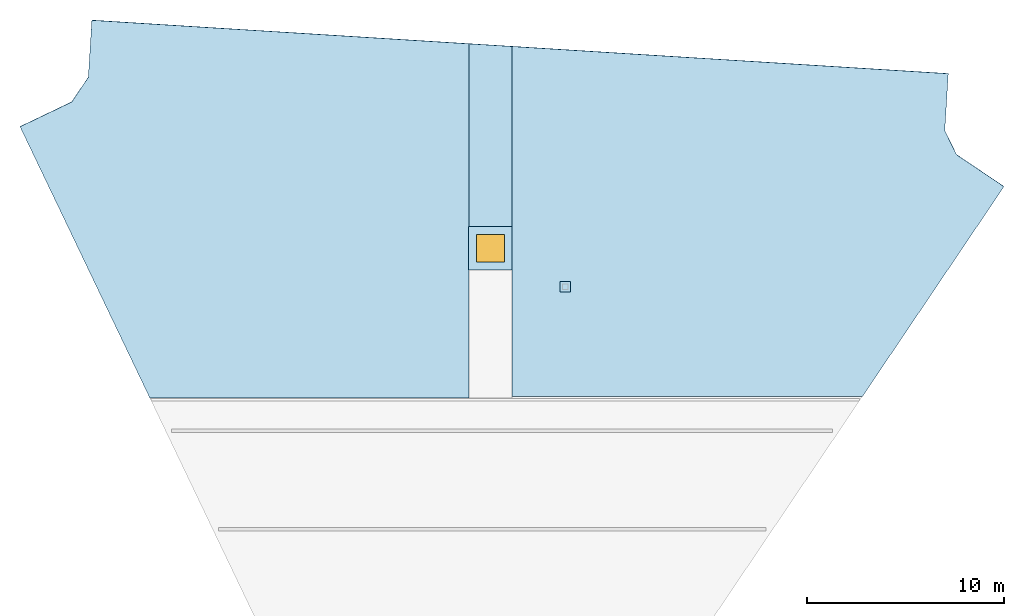
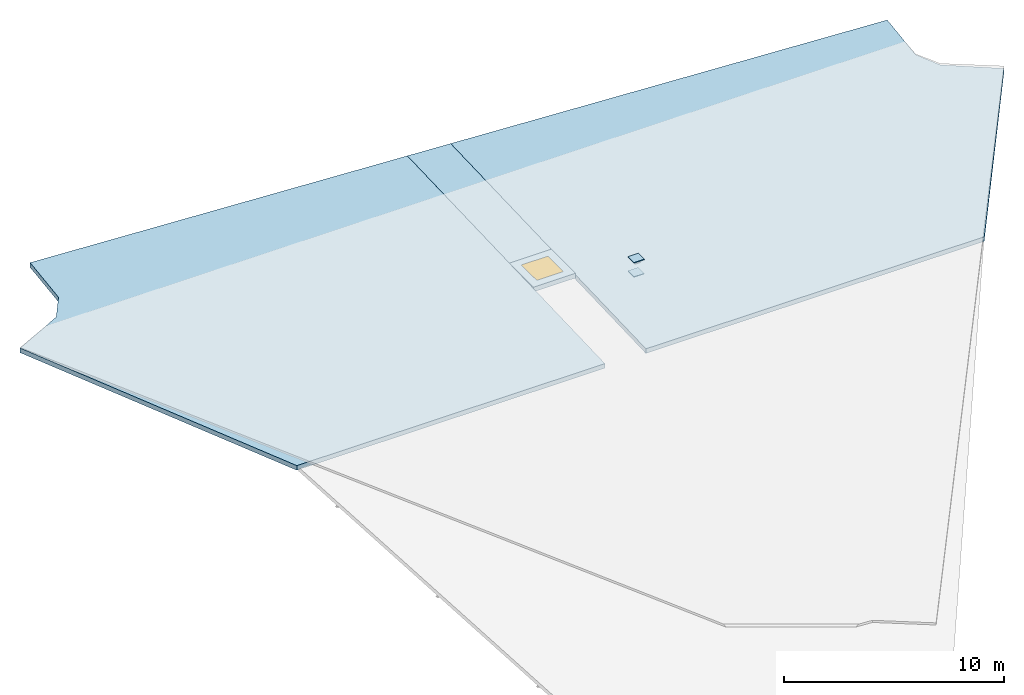
# One storey, part 2 of 3: 4 slabs, 2 plates, 1 window, 1 opening.
"""IFC4 building model written with IfcOpenShell, lengths in metres."""

import ifcopenshell
import ifcopenshell.guid

model = None  # the IFC model being written
_history = None  # IfcOwnerHistory: only IFC2X3 demands one
_inside = {}  # id of a spatial element -> (the spatial element, [elements in it])
_under = {}  # id of a project, library or spatial element -> (it, [spatial elements below it])
_declared = {}  # id of a project -> (the project, [libraries it declares])
_typed = {}  # id of a type object -> (the type object, [elements of that type])
_made_of = {}  # id of a material, layer set ... -> (it, [elements and type objects made of it])


def new_model(schema):
    """Start an empty IFC model of exactly this schema.

    Asked for "IFC4X3", IfcOpenShell would pick the latest addendum, in which some entities
    have other attributes; the version numbers below select the first issue.
    IFC2X3 requires an IfcOwnerHistory on every rooted entity: one is made here for all.
    """
    global model, _history
    if schema == "IFC4X3":
        model = ifcopenshell.file(schema_version=(4, 3, 0, 0))
    else:
        model = ifcopenshell.file(schema=schema)
    _inside.clear()
    _under.clear()
    _declared.clear()
    _typed.clear()
    _made_of.clear()
    _history = None
    if model.schema == "IFC2X3":
        org = make("IfcOrganization", Name="unknown")
        user = make(
            "IfcPersonAndOrganization",
            ThePerson=make("IfcPerson", FamilyName="unknown"),
            TheOrganization=org,
        )
        app = make(
            "IfcApplication",
            ApplicationDeveloper=org,
            Version="unknown",
            ApplicationFullName="unknown",
            ApplicationIdentifier="unknown",
        )
        _history = make(
            "IfcOwnerHistory",
            OwningUser=user,
            OwningApplication=app,
            ChangeAction="ADDED",
            CreationDate=0,
        )
    return model


def make(cls, **values):
    """One entity of the class cls with the attributes given. An attribute that is None is left unset."""
    return model.create_entity(
        cls, **{name: value for name, value in values.items() if value is not None}
    )


def rooted(cls, **values):
    """An entity with a GlobalId (a new one), such as an element, a storey or a relation."""
    return make(cls, GlobalId=ifcopenshell.guid.new(), OwnerHistory=_history, **values)


def si_unit(unit_type, name, prefix=None):
    """IfcSIUnit, for example si_unit("LENGTHUNIT", "METRE", prefix="MILLI")."""
    return make("IfcSIUnit", UnitType=unit_type, Prefix=prefix, Name=name)


def assignment(units):
    """IfcUnitAssignment: the units of a project."""
    return None if units is None else make("IfcUnitAssignment", Units=units)


def point(xyz):
    """IfcCartesianPoint."""
    return None if xyz is None else make("IfcCartesianPoint", Coordinates=xyz)


def direction(xyz):
    """IfcDirection."""
    return None if xyz is None else make("IfcDirection", DirectionRatios=xyz)


def frame(location, z_axis=None, x_axis=None):
    """IfcAxis2Placement3D, a coordinate frame: its origin and axes. An axis left out is left unset."""
    return make(
        "IfcAxis2Placement3D",
        Location=point(location),
        Axis=direction(z_axis),
        RefDirection=direction(x_axis),
    )


def frame_2d(location, x_axis=None):
    """IfcAxis2Placement2D, a coordinate frame in the plane: its origin and x axis."""
    return make(
        "IfcAxis2Placement2D", Location=point(location), RefDirection=direction(x_axis)
    )


def origin():
    """The frame at (0, 0, 0) with its axes left unset."""
    return frame((0.0, 0.0, 0.0))


def origin_2d():
    """The frame at (0, 0) in the plane with its x axis left unset."""
    return frame_2d((0.0, 0.0))


def place(relative_to, where):
    """IfcLocalPlacement: puts the frame where relative to a parent placement (None: the world)."""
    return make(
        "IfcLocalPlacement", PlacementRelTo=relative_to, RelativePlacement=where
    )


def context(
    kind, dimensions, precision=None, world=None, true_north=None, identifier=None
):
    """IfcGeometricRepresentationContext, for example the 3D "Model" context."""
    return make(
        "IfcGeometricRepresentationContext",
        ContextIdentifier=identifier,
        ContextType=kind,
        CoordinateSpaceDimension=dimensions,
        Precision=precision,
        WorldCoordinateSystem=world,
        TrueNorth=true_north,
    )


def subcontext(parent, identifier, kind, view, scale=None):
    """IfcGeometricRepresentationSubContext, for example "Body" below "Model"."""
    return make(
        "IfcGeometricRepresentationSubContext",
        ContextIdentifier=identifier,
        ContextType=kind,
        ParentContext=parent,
        TargetScale=scale,
        TargetView=view,
    )


def project(units=None, contexts=None):
    """IfcProject with its units and contexts."""
    return rooted(
        "IfcProject",
        Name="project",
        RepresentationContexts=contexts,
        UnitsInContext=assignment(units),
    )


def spatial(cls, under=None, at=None, **own):
    """A site, building, storey or space (cls), placed at a placement, below another one or the project."""
    s = rooted(cls, ObjectPlacement=at, **own)
    if under is not None:
        _under.setdefault(under.id(), (under, []))[1].append(s)
    return s


def polyline(points):
    """IfcPolyline through the points."""
    return make("IfcPolyline", Points=[point(p) for p in points])


def profile(cls, at=None, kind="AREA", **sizes):
    """A parametric profile (cls). Its sizes go by their IFC names, for example OverallWidth=200.0."""
    return make(cls, ProfileType=kind, Position=at, **sizes)


def rectangle(**sizes):
    """IfcRectangleProfileDef."""
    return profile("IfcRectangleProfileDef", **sizes)


def outline(outer, holes=None, kind="AREA"):
    """IfcArbitraryClosedProfileDef: a profile drawn as a closed curve; with holes, ...WithVoids."""
    if holes is None:
        return make("IfcArbitraryClosedProfileDef", ProfileType=kind, OuterCurve=outer)
    return make(
        "IfcArbitraryProfileDefWithVoids",
        ProfileType=kind,
        OuterCurve=outer,
        InnerCurves=holes,
    )


def extrude(swept, where, along, depth):
    """IfcExtrudedAreaSolid: the profile swept, set in the frame where, extruded along a direction by depth."""
    return make(
        "IfcExtrudedAreaSolid",
        SweptArea=swept,
        Position=where,
        ExtrudedDirection=direction(along),
        Depth=depth,
    )


def shape(context_of_items, identifier, shape_type, items):
    """IfcShapeRepresentation: the items that make up one representation, for example the "Body"."""
    return make(
        "IfcShapeRepresentation",
        ContextOfItems=context_of_items,
        RepresentationIdentifier=identifier,
        RepresentationType=shape_type,
        Items=items,
    )


def material(Name=None, Category=None):
    """IfcMaterial."""
    return make("IfcMaterial", Name=Name, Category=Category)


def layer(
    of_material, thickness, ventilated=None, Name=None, Category=None, Priority=None
):
    """IfcMaterialLayer: one layer of a wall or slab, of a material (None: an air gap)."""
    return make(
        "IfcMaterialLayer",
        Material=of_material,
        LayerThickness=thickness,
        IsVentilated=ventilated,
        Name=Name,
        Category=Category,
        Priority=Priority,
    )


def layer_set(layers, Name=None):
    """IfcMaterialLayerSet."""
    return make("IfcMaterialLayerSet", MaterialLayers=layers, LayerSetName=Name)


def made_of(thing, what):
    """Note that an element or type object is made of a material, layer set ...; save() writes the relation."""
    if what is not None:
        _made_of.setdefault(what.id(), (what, []))[1].append(thing)
    return thing


def type_object(cls, material=None, **own):
    """A type object (cls), such as IfcWallType, which elements share."""
    return made_of(rooted(cls, **own), material)


def element(
    cls,
    number,
    at=None,
    inside=None,
    cuts=None,
    type_object=None,
    material=None,
    context=None,
    identifier="Body",
    shape_type=None,
    held_by="IfcProductDefinitionShape",
    body=None,
    shapes=None,
    **own,
):
    """One element of the class cls, such as IfcWall. Its Tag is "e" and its number.

    at: its placement. inside: the storey or other place that contains it. cuts: it is an
    opening in that element (IfcRelVoidsElement). A single representation is given by context,
    identifier, shape_type and body (its items); several are given by shapes. held_by: the class
    of the entity that holds the representations. save() writes the other relations.
    """
    e = rooted(cls, Tag="e%d" % number, ObjectPlacement=at, **own)
    if body is not None:
        shapes = [shape(context, identifier, shape_type, body)]
    if shapes is not None:
        e.Representation = make(held_by, Representations=shapes)
    if inside is not None:
        _inside.setdefault(inside.id(), (inside, []))[1].append(e)
    if cuts is not None:
        rooted(
            "IfcRelVoidsElement", RelatingBuildingElement=cuts, RelatedOpeningElement=e
        )
    if type_object is not None:
        _typed.setdefault(type_object.id(), (type_object, []))[1].append(e)
    return made_of(e, material)


def fill(opening, filler):
    """IfcRelFillsElement: the door or window that sits in an opening."""
    return rooted(
        "IfcRelFillsElement",
        RelatingOpeningElement=opening,
        RelatedBuildingElement=filler,
    )


def aggregate(whole, parts):
    """IfcRelAggregates: a whole, such as a stair, and the parts it consists of."""
    return rooted("IfcRelAggregates", RelatingObject=whole, RelatedObjects=parts)


def save(model, path):
    """Write the relations noted so far, then the file.

    IfcRelAggregates (storeys below a building ...), IfcRelContainedInSpatialStructure (elements
    in a storey), IfcRelDefinesByType, IfcRelAssociatesMaterial and IfcRelDeclares: one each for
    every whole, place, type object, material and project.
    """
    for whole, parts in _under.values():
        aggregate(whole, parts)
    for where, things in _inside.values():
        rooted(
            "IfcRelContainedInSpatialStructure",
            RelatedElements=things,
            RelatingStructure=where,
        )
    for kind, things in _typed.values():
        rooted("IfcRelDefinesByType", RelatedObjects=things, RelatingType=kind)
    for what, things in _made_of.values():
        rooted("IfcRelAssociatesMaterial", RelatedObjects=things, RelatingMaterial=what)
    for by, libraries in _declared.values():
        rooted("IfcRelDeclares", RelatingContext=by, RelatedDefinitions=libraries)
    model.write(path)


model = new_model("IFC4")

# Units and contexts
model_context = context("Model", 3, precision=1e-05, world=origin(), true_north=direction((0.0, 1.0)))
body_context = subcontext(model_context, "Body", "Model", "MODEL_VIEW")
ifc_project = project(units=[si_unit("LENGTHUNIT", "METRE"), si_unit("AREAUNIT", "SQUARE_METRE"), si_unit("VOLUMEUNIT", "CUBIC_METRE"), si_unit("PLANEANGLEUNIT", "RADIAN"), si_unit("MASSUNIT", "GRAM", prefix="KILO")], contexts=[model_context])

# Site, building, storey
site_placement = place(None, origin())
site = spatial("IfcSite", under=ifc_project, at=site_placement, CompositionType="ELEMENT")
building_placement = place(site_placement, origin())
building = spatial("IfcBuilding", under=site, at=building_placement, Name="Apsidion Concourse Tower", CompositionType="ELEMENT")
storey_placement = place(building_placement, frame((0.0, 0.0, 350.0)))
storey = spatial("IfcBuildingStorey", under=building, at=storey_placement, Name="Roof Level", CompositionType="ELEMENT", Elevation=350.0)

# Plates
ifc_material_1 = material(Name="Structural steel ASTM A572 Grade 50", Category="steel")
ifc_layer_1 = layer(ifc_material_1, 0.034912109375)
ifc_layer_set_1 = layer_set([ifc_layer_1], Name="Structural steel ASTM A572 Grade 50")
plate_type = type_object("IfcPlateType", Name="PL-ENDCAP-35", PredefinedType="USERDEFINED", material=ifc_layer_set_1)
for number, where, z_axis, x_axis, name in (
    (1, (3.800048828125, 4.050048828125, -0.7958984375), (0.0, 0.0, 1.0), (1.0, 0.0, 0.0), "Crown Finial Mast Base Cap Plate FM1-B"),
    (2, (3.800048828125, 4.050048828125, -0.001953125), (0.0, 0.0, 1.0), (1.0, 0.0, 0.0), "Crown Finial Mast Top Cap Plate FM1-T"),
):
    element("IfcPlate", number, at=place(storey_placement, frame(where, z_axis=z_axis, x_axis=x_axis)), inside=storey, type_object=plate_type, Name=name, ObjectType="FLANGE_PLATE", PredefinedType="USERDEFINED", context=body_context, shape_type="SweptSolid", body=[
        extrude(rectangle(XDim=0.550048828125, YDim=0.550048828125, at=origin_2d()), origin(), (0.0, 0.0, 1.0), 0.0400390625),
    ])

# Slabs
ifc_material_2 = material(Name="Concrete C50/60", Category="concrete")
ifc_layer_2 = layer(ifc_material_2, 0.260009765625)
ifc_layer_set_2 = layer_set([ifc_layer_2], Name="Concrete C50/60")
slab_type_1 = type_object("IfcSlabType", Name="SL-CRWN-ROOF-260", PredefinedType="ROOF", material=ifc_layer_set_2)
slab_1_placement = place(storey_placement, frame((-21.27001953125, 13.43505859375, -0.16845703125), z_axis=(-6.008176e-06, -0.035329092676, 0.999375732732), x_axis=(0.559037112229, 0.828624908518, 0.029296213648)))
element("IfcSlab", 3, at=slab_1_placement, inside=storey, type_object=slab_type_1, Name="Slanted-Cut Crown Roof Slab NW", PredefinedType="ROOF", context=body_context, shape_type="SweptSolid", body=[
    extrude(outline(polyline([(0.0, 0.0), (1.5123485814800977, -3.686287386450715e-18), (4.019620602520619, 1.4723038682379432), (13.731096015771376, -15.068251350132126), (-1.1983408592318439, -25.13420253561042), (-10.253349943903013, -11.704156628221675), (-2.505810669636117, 1.471704071490891), (0.0, 0.0)])), origin(), (0.0, 0.0, -1.0), 0.260009765625),
])
slab_2_placement = place(storey_placement, frame((23.251708984375, 14.875732421875, -0.117431640625), z_axis=(-1.923437e-06, -0.035341356435, 0.999375299135), x_axis=(-0.062219251701, -0.997439010678, -0.035273002349)))
element("IfcSlab", 4, at=slab_2_placement, inside=storey, type_object=slab_type_1, Name="Slanted-Cut Crown Roof Slab NE", PredefinedType="ROOF", context=body_context, shape_type="SweptSolid", body=[
    extrude(outline(polyline([(0.0, 0.0), (2.9075920738148033, 1.0570971181733668e-18), (4.08266528233274, 0.6723151732780316), (5.555401711795333, 3.177737521133658), (16.64563442629525, -3.3330836008603972), (17.752471773761574, -21.08792355618716), (-0.0015191887880877995, -22.194707977425566), (0.0, 0.0)])), origin(), (0.0, 0.0, -1.0), 0.260009765625),
])
slab_3_placement = place(storey_placement, frame((1.10009765625, 16.25732421875, -0.068603515625), z_axis=(7.260088e-06, -0.035332129336, 0.99937562537), x_axis=(-1.3e-11, -0.999375625396, -0.035332129337)))
element("IfcSlab", 5, at=slab_3_placement, inside=storey, type_object=slab_type_1, Name="Slanted-Cut Crown Roof Slab NN", PredefinedType="ROOF", context=body_context, shape_type="SweptSolid", body=[
    extrude(outline(polyline([(0.0, 0.0), (9.162947109587478, 4.235164736271502e-22), (9.162947109615324, -2.200195312442015), (-0.1372938827991886, -2.200195312675692), (0.0, 0.0)])), origin(), (0.0, 0.0, -1.0), 0.260009765625),
])

# Slab, opening, window
ifc_layer_3 = layer(ifc_material_2, 0.260009765625)
ifc_layer_set_3 = layer_set([ifc_layer_3], Name="Concrete C50/60")
slab_type_2 = type_object("IfcSlabType", Name="SL-POD-ROOF-260", PredefinedType="ROOF", material=ifc_layer_set_3)
slab_4_placement = place(storey_placement, frame((0.0, 0.0, -0.6513671875)))
slab_4 = element("IfcSlab", 6, at=slab_4_placement, inside=storey, type_object=slab_type_2, Name="Slanted Crown Flat Roof Hatch Curb Slab", PredefinedType="ROOF", context=body_context, shape_type="SweptSolid", body=[
    extrude(outline(polyline([(-1.10400390625, 4.89599609375), (1.10400390625, 4.89599609375), (1.10400390625, 7.10400390625), (-1.10400390625, 7.10400390625), (-1.10400390625, 4.89599609375)])), origin(), (0.0, 0.0, 1.0), 0.260009765625),
])
opening_placement = place(slab_4_placement, frame((0.0, 6.0, -0.010009765625)))
opening = element("IfcOpeningElement", 7, at=opening_placement, cuts=slab_4, Name="Opening WH-RH1", PredefinedType="OPENING", context=body_context, shape_type="SweptSolid", body=[
    extrude(rectangle(XDim=1.39990234375, YDim=1.39990234375, at=origin_2d()), origin(), (0.0, 0.0, 1.0), 0.280029296875),
])
ifc_material_3 = material(Name="Insulated laminated low-E glass", Category="glass")
window_type = type_object("IfcWindowType", Name="WN-RH-1414", PartitioningType="SINGLE_PANEL", PredefinedType="SKYLIGHT", material=ifc_material_3)
window_placement = place(slab_4_placement, frame((0.0, 6.0, 0.2099609375)))
window = element("IfcWindow", 8, at=window_placement, inside=storey, type_object=window_type, Name="Slanted Crown Maintenance Roof Access Hatch WH-RH1", OverallHeight=1.39990234375, OverallWidth=1.39990234375, PartitioningType="SINGLE_PANEL", PredefinedType="SKYLIGHT", context=body_context, shape_type="SweptSolid", body=[
    extrude(rectangle(XDim=1.39990234375, YDim=1.39990234375, at=origin_2d()), origin(), (0.0, 0.0, 1.0), 0.050048828125),
])
fill(opening, window)

save(model, "model.ifc")
